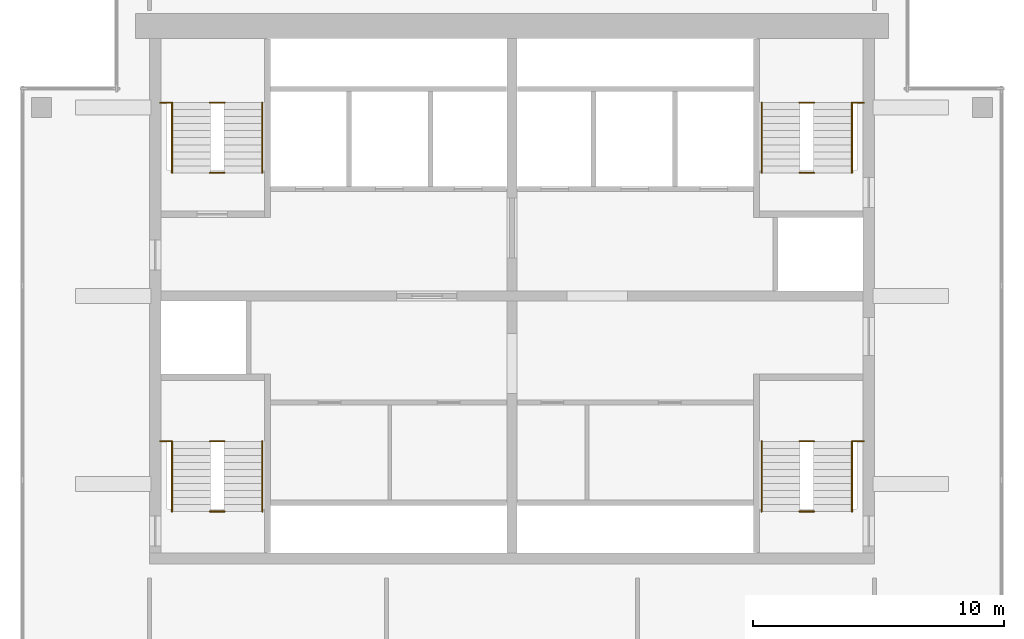
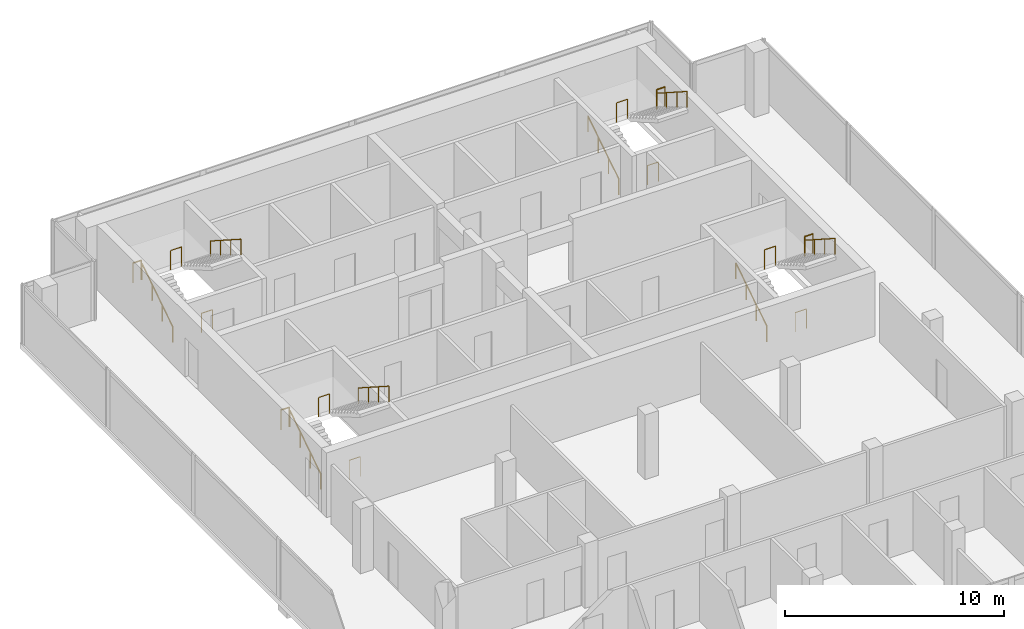
# One storey, part 8 of 8: 20 railings.
"""IFC4 building model written with IfcOpenShell, lengths in metres."""

from ifc_helpers import new_model, si_unit, direction, frame, origin, origin_2d, place, context, subcontext, project, spatial, circle, extrude, material, type_object, element, save


model = new_model("IFC4")

# Units and contexts
model_context = context("Model", 3, precision=1e-05, world=origin(), true_north=direction((0.0, 1.0)))
body_context = subcontext(model_context, "Body", "Model", "MODEL_VIEW")
ifc_project = project(units=[si_unit("LENGTHUNIT", "METRE"), si_unit("AREAUNIT", "SQUARE_METRE"), si_unit("VOLUMEUNIT", "CUBIC_METRE"), si_unit("PLANEANGLEUNIT", "RADIAN"), si_unit("MASSUNIT", "GRAM", prefix="KILO")], contexts=[model_context])

# Site, building, storey
site_placement = place(None, origin())
site = spatial("IfcSite", under=ifc_project, at=site_placement, CompositionType="ELEMENT")
building_placement = place(site_placement, origin())
building = spatial("IfcBuilding", under=site, at=building_placement, Name="Pilkhan Gate Tower", CompositionType="ELEMENT")
storey_placement = place(building_placement, frame((0.0, 0.0, 269.300048828125)))
storey = spatial("IfcBuildingStorey", under=building, at=storey_placement, Name="L70", CompositionType="ELEMENT", Elevation=269.300048828125)

# Railings
ifc_material_1 = material(Name="Black powder-coated steel tube", Category="steel")
railing_type_1 = type_object("IfcRailingType", Name="Stair handrail HR1", PredefinedType="HANDRAIL", material=ifc_material_1)
railing_1_placement = place(storey_placement, frame((84.949951171875, 73.89990234375, 0.0)))
element("IfcRailing", 1, at=railing_1_placement, inside=storey, type_object=railing_type_1, Name="Stair ST1 handrail L70", PredefinedType="HANDRAIL", context=body_context, shape_type="SweptSolid", body=[
    extrude(circle(Radius=0.02392578125, at=origin_2d()), frame((0.0, 0.0, 0.8759765625), z_axis=(0.0, 0.841176092368, 0.540761298198), x_axis=(-1.0, 0.0, 0.0)), (0.0, 0.0, 1.0), 3.32861328125),
    extrude(circle(Radius=0.02099609375, at=origin_2d()), origin(), (0.0, 0.0, 1.0), 0.851806640625),
    extrude(circle(Radius=0.02099609375, at=origin_2d()), frame((0.0, 0.933349609375, 0.60009765625)), (0.0, 0.0, 1.0), 0.851806640625),
    extrude(circle(Radius=0.02099609375, at=origin_2d()), frame((0.0, 1.86669921875, 1.199951171875)), (0.0, 0.0, 1.0), 0.851806640625),
    extrude(circle(Radius=0.02099609375, at=origin_2d()), frame((0.0, 2.800048828125, 1.800048828125)), (0.0, 0.0, 1.0), 0.851806640625),
])
railing_2_placement = place(storey_placement, frame((88.550048828125, 76.699951171875, 1.800048828125)))
element("IfcRailing", 2, at=railing_2_placement, inside=storey, type_object=railing_type_1, Name="Stair ST1 handrail L70", PredefinedType="HANDRAIL", context=body_context, shape_type="SweptSolid", body=[
    extrude(circle(Radius=0.02392578125, at=origin_2d()), frame((0.0, 0.0, 0.8759765625), z_axis=(0.0, -0.841209454229, 0.540709398952), x_axis=(1.0, 0.0, 0.0)), (0.0, 0.0, 1.0), 3.32861328125),
    extrude(circle(Radius=0.02099609375, at=origin_2d()), origin(), (0.0, 0.0, 1.0), 0.851806640625),
    extrude(circle(Radius=0.02099609375, at=origin_2d()), frame((0.0, -0.933349609375, 0.599853515625)), (0.0, 0.0, 1.0), 0.851806640625),
    extrude(circle(Radius=0.02099609375, at=origin_2d()), frame((0.0, -1.86669921875, 1.199951171875)), (0.0, 0.0, 1.0), 0.851806640625),
    extrude(circle(Radius=0.02099609375, at=origin_2d()), frame((0.0, -2.800048828125, 1.7998046875)), (0.0, 0.0, 1.0), 0.851806640625),
])
railing_3_placement = place(storey_placement, frame((61.449951171875, 73.89990234375, 0.0)))
element("IfcRailing", 3, at=railing_3_placement, inside=storey, type_object=railing_type_1, Name="Stair ST2 handrail L70", PredefinedType="HANDRAIL", context=body_context, shape_type="SweptSolid", body=[
    extrude(circle(Radius=0.02392578125, at=origin_2d()), frame((0.0, 0.0, 0.8759765625), z_axis=(0.0, 0.841176092368, 0.540761298198), x_axis=(-1.0, 0.0, 0.0)), (0.0, 0.0, 1.0), 3.32861328125),
    extrude(circle(Radius=0.02099609375, at=origin_2d()), origin(), (0.0, 0.0, 1.0), 0.851806640625),
    extrude(circle(Radius=0.02099609375, at=origin_2d()), frame((0.0, 0.933349609375, 0.60009765625)), (0.0, 0.0, 1.0), 0.851806640625),
    extrude(circle(Radius=0.02099609375, at=origin_2d()), frame((0.0, 1.86669921875, 1.199951171875)), (0.0, 0.0, 1.0), 0.851806640625),
    extrude(circle(Radius=0.02099609375, at=origin_2d()), frame((0.0, 2.800048828125, 1.800048828125)), (0.0, 0.0, 1.0), 0.851806640625),
])
railing_4_placement = place(storey_placement, frame((65.050048828125, 76.699951171875, 1.800048828125)))
element("IfcRailing", 4, at=railing_4_placement, inside=storey, type_object=railing_type_1, Name="Stair ST2 handrail L70", PredefinedType="HANDRAIL", context=body_context, shape_type="SweptSolid", body=[
    extrude(circle(Radius=0.02392578125, at=origin_2d()), frame((0.0, 0.0, 0.8759765625), z_axis=(0.0, -0.841209454229, 0.540709398952), x_axis=(1.0, 0.0, 0.0)), (0.0, 0.0, 1.0), 3.32861328125),
    extrude(circle(Radius=0.02099609375, at=origin_2d()), origin(), (0.0, 0.0, 1.0), 0.851806640625),
    extrude(circle(Radius=0.02099609375, at=origin_2d()), frame((0.0, -0.933349609375, 0.599853515625)), (0.0, 0.0, 1.0), 0.851806640625),
    extrude(circle(Radius=0.02099609375, at=origin_2d()), frame((0.0, -1.86669921875, 1.199951171875)), (0.0, 0.0, 1.0), 0.851806640625),
    extrude(circle(Radius=0.02099609375, at=origin_2d()), frame((0.0, -2.800048828125, 1.7998046875)), (0.0, 0.0, 1.0), 0.851806640625),
])
railing_5_placement = place(storey_placement, frame((61.449951171875, 87.39990234375, 0.0)))
element("IfcRailing", 5, at=railing_5_placement, inside=storey, type_object=railing_type_1, Name="Stair ST3 handrail L70", PredefinedType="HANDRAIL", context=body_context, shape_type="SweptSolid", body=[
    extrude(circle(Radius=0.02392578125, at=origin_2d()), frame((0.0, 0.0, 0.8759765625), z_axis=(0.0, 0.841176092368, 0.540761298198), x_axis=(-1.0, 0.0, 0.0)), (0.0, 0.0, 1.0), 3.32861328125),
    extrude(circle(Radius=0.02099609375, at=origin_2d()), origin(), (0.0, 0.0, 1.0), 0.851806640625),
    extrude(circle(Radius=0.02099609375, at=origin_2d()), frame((0.0, 0.933349609375, 0.60009765625)), (0.0, 0.0, 1.0), 0.851806640625),
    extrude(circle(Radius=0.02099609375, at=origin_2d()), frame((0.0, 1.86669921875, 1.199951171875)), (0.0, 0.0, 1.0), 0.851806640625),
    extrude(circle(Radius=0.02099609375, at=origin_2d()), frame((0.0, 2.800048828125, 1.800048828125)), (0.0, 0.0, 1.0), 0.851806640625),
])
railing_6_placement = place(storey_placement, frame((65.050048828125, 90.199951171875, 1.800048828125)))
element("IfcRailing", 6, at=railing_6_placement, inside=storey, type_object=railing_type_1, Name="Stair ST3 handrail L70", PredefinedType="HANDRAIL", context=body_context, shape_type="SweptSolid", body=[
    extrude(circle(Radius=0.02392578125, at=origin_2d()), frame((0.0, 0.0, 0.8759765625), z_axis=(0.0, -0.841209454229, 0.540709398952), x_axis=(1.0, 0.0, 0.0)), (0.0, 0.0, 1.0), 3.32861328125),
    extrude(circle(Radius=0.02099609375, at=origin_2d()), origin(), (0.0, 0.0, 1.0), 0.851806640625),
    extrude(circle(Radius=0.02099609375, at=origin_2d()), frame((0.0, -0.933349609375, 0.599853515625)), (0.0, 0.0, 1.0), 0.851806640625),
    extrude(circle(Radius=0.02099609375, at=origin_2d()), frame((0.0, -1.86669921875, 1.199951171875)), (0.0, 0.0, 1.0), 0.851806640625),
    extrude(circle(Radius=0.02099609375, at=origin_2d()), frame((0.0, -2.800048828125, 1.7998046875)), (0.0, 0.0, 1.0), 0.851806640625),
])
railing_7_placement = place(storey_placement, frame((84.949951171875, 87.39990234375, 0.0)))
element("IfcRailing", 7, at=railing_7_placement, inside=storey, type_object=railing_type_1, Name="Stair ST4 handrail L70", PredefinedType="HANDRAIL", context=body_context, shape_type="SweptSolid", body=[
    extrude(circle(Radius=0.02392578125, at=origin_2d()), frame((0.0, 0.0, 0.8759765625), z_axis=(0.0, 0.841176092368, 0.540761298198), x_axis=(-1.0, 0.0, 0.0)), (0.0, 0.0, 1.0), 3.32861328125),
    extrude(circle(Radius=0.02099609375, at=origin_2d()), origin(), (0.0, 0.0, 1.0), 0.851806640625),
    extrude(circle(Radius=0.02099609375, at=origin_2d()), frame((0.0, 0.933349609375, 0.60009765625)), (0.0, 0.0, 1.0), 0.851806640625),
    extrude(circle(Radius=0.02099609375, at=origin_2d()), frame((0.0, 1.86669921875, 1.199951171875)), (0.0, 0.0, 1.0), 0.851806640625),
    extrude(circle(Radius=0.02099609375, at=origin_2d()), frame((0.0, 2.800048828125, 1.800048828125)), (0.0, 0.0, 1.0), 0.851806640625),
])
railing_8_placement = place(storey_placement, frame((88.550048828125, 90.199951171875, 1.800048828125)))
element("IfcRailing", 8, at=railing_8_placement, inside=storey, type_object=railing_type_1, Name="Stair ST4 handrail L70", PredefinedType="HANDRAIL", context=body_context, shape_type="SweptSolid", body=[
    extrude(circle(Radius=0.02392578125, at=origin_2d()), frame((0.0, 0.0, 0.8759765625), z_axis=(0.0, -0.841209454229, 0.540709398952), x_axis=(1.0, 0.0, 0.0)), (0.0, 0.0, 1.0), 3.32861328125),
    extrude(circle(Radius=0.02099609375, at=origin_2d()), origin(), (0.0, 0.0, 1.0), 0.851806640625),
    extrude(circle(Radius=0.02099609375, at=origin_2d()), frame((0.0, -0.933349609375, 0.599853515625)), (0.0, 0.0, 1.0), 0.851806640625),
    extrude(circle(Radius=0.02099609375, at=origin_2d()), frame((0.0, -1.86669921875, 1.199951171875)), (0.0, 0.0, 1.0), 0.851806640625),
    extrude(circle(Radius=0.02099609375, at=origin_2d()), frame((0.0, -2.800048828125, 1.7998046875)), (0.0, 0.0, 1.0), 0.851806640625),
])
ifc_material_2 = material(Name="Black powder-coated steel balusters", Category="steel")
railing_type_2 = type_object("IfcRailingType", Name="Stair well guard G3", PredefinedType="GUARDRAIL", material=ifc_material_2)
railing_9_placement = place(storey_placement, frame((88.580078125, 76.699951171875, 1.800048828125)))
element("IfcRailing", 9, at=railing_9_placement, inside=storey, type_object=railing_type_2, Name="Stair ST1 well guard L70", PredefinedType="GUARDRAIL", context=body_context, shape_type="SweptSolid", body=[
    extrude(circle(Radius=0.02392578125, at=origin_2d()), frame((0.0, 0.0, 1.076171875), z_axis=(1.0, 0.0, 0.0), x_axis=(0.0, 1.0, 0.0)), (0.0, 0.0, 1.0), 0.43994140625),
    extrude(circle(Radius=0.02099609375, at=origin_2d()), origin(), (0.0, 0.0, 1.0), 1.052001953125),
    extrude(circle(Radius=0.02099609375, at=origin_2d()), frame((0.43994140625, 0.0, 0.0)), (0.0, 0.0, 1.0), 1.052001953125),
])
for number, where, name in (
    (10, (86.4599609375, 73.89990234375, 0.0), "Stair ST1 well guard L70"),
    (11, (86.4599609375, 76.699951171875, 1.800048828125), "Stair ST1 well guard L70"),
):
    element("IfcRailing", number, at=place(storey_placement, frame(where)), inside=storey, type_object=railing_type_2, Name=name, PredefinedType="GUARDRAIL", context=body_context, shape_type="SweptSolid", body=[
        extrude(circle(Radius=0.02392578125, at=origin_2d()), frame((0.0, 0.0, 1.076171875), z_axis=(1.0, 0.0, 0.0), x_axis=(0.0, 1.0, 0.0)), (0.0, 0.0, 1.0), 0.580078125),
        extrude(circle(Radius=0.02099609375, at=origin_2d()), origin(), (0.0, 0.0, 1.0), 1.052001953125),
        extrude(circle(Radius=0.02099609375, at=origin_2d()), frame((0.580078125, 0.0, 0.0)), (0.0, 0.0, 1.0), 1.052001953125),
    ])
railing_10_placement = place(storey_placement, frame((60.97998046875, 76.699951171875, 1.800048828125)))
element("IfcRailing", 12, at=railing_10_placement, inside=storey, type_object=railing_type_2, Name="Stair ST2 well guard L70", PredefinedType="GUARDRAIL", context=body_context, shape_type="SweptSolid", body=[
    extrude(circle(Radius=0.02392578125, at=origin_2d()), frame((0.0, 0.0, 1.076171875), z_axis=(1.0, 0.0, 0.0), x_axis=(0.0, 1.0, 0.0)), (0.0, 0.0, 1.0), 0.43994140625),
    extrude(circle(Radius=0.02099609375, at=origin_2d()), origin(), (0.0, 0.0, 1.0), 1.052001953125),
    extrude(circle(Radius=0.02099609375, at=origin_2d()), frame((0.43994140625, 0.0, 0.0)), (0.0, 0.0, 1.0), 1.052001953125),
])
for number, where, name in (
    (13, (62.9599609375, 73.89990234375, 0.0), "Stair ST2 well guard L70"),
    (14, (62.9599609375, 76.699951171875, 1.800048828125), "Stair ST2 well guard L70"),
):
    element("IfcRailing", number, at=place(storey_placement, frame(where)), inside=storey, type_object=railing_type_2, Name=name, PredefinedType="GUARDRAIL", context=body_context, shape_type="SweptSolid", body=[
        extrude(circle(Radius=0.02392578125, at=origin_2d()), frame((0.0, 0.0, 1.076171875), z_axis=(1.0, 0.0, 0.0), x_axis=(0.0, 1.0, 0.0)), (0.0, 0.0, 1.0), 0.580078125),
        extrude(circle(Radius=0.02099609375, at=origin_2d()), origin(), (0.0, 0.0, 1.0), 1.052001953125),
        extrude(circle(Radius=0.02099609375, at=origin_2d()), frame((0.580078125, 0.0, 0.0)), (0.0, 0.0, 1.0), 1.052001953125),
    ])
railing_11_placement = place(storey_placement, frame((60.97998046875, 90.199951171875, 1.800048828125)))
element("IfcRailing", 15, at=railing_11_placement, inside=storey, type_object=railing_type_2, Name="Stair ST3 well guard L70", PredefinedType="GUARDRAIL", context=body_context, shape_type="SweptSolid", body=[
    extrude(circle(Radius=0.02392578125, at=origin_2d()), frame((0.0, 0.0, 1.076171875), z_axis=(1.0, 0.0, 0.0), x_axis=(0.0, 1.0, 0.0)), (0.0, 0.0, 1.0), 0.43994140625),
    extrude(circle(Radius=0.02099609375, at=origin_2d()), origin(), (0.0, 0.0, 1.0), 1.052001953125),
    extrude(circle(Radius=0.02099609375, at=origin_2d()), frame((0.43994140625, 0.0, 0.0)), (0.0, 0.0, 1.0), 1.052001953125),
])
for number, where, name in (
    (16, (62.9599609375, 87.39990234375, 0.0), "Stair ST3 well guard L70"),
    (17, (62.9599609375, 90.199951171875, 1.800048828125), "Stair ST3 well guard L70"),
):
    element("IfcRailing", number, at=place(storey_placement, frame(where)), inside=storey, type_object=railing_type_2, Name=name, PredefinedType="GUARDRAIL", context=body_context, shape_type="SweptSolid", body=[
        extrude(circle(Radius=0.02392578125, at=origin_2d()), frame((0.0, 0.0, 1.076171875), z_axis=(1.0, 0.0, 0.0), x_axis=(0.0, 1.0, 0.0)), (0.0, 0.0, 1.0), 0.580078125),
        extrude(circle(Radius=0.02099609375, at=origin_2d()), origin(), (0.0, 0.0, 1.0), 1.052001953125),
        extrude(circle(Radius=0.02099609375, at=origin_2d()), frame((0.580078125, 0.0, 0.0)), (0.0, 0.0, 1.0), 1.052001953125),
    ])
railing_12_placement = place(storey_placement, frame((88.580078125, 90.199951171875, 1.800048828125)))
element("IfcRailing", 18, at=railing_12_placement, inside=storey, type_object=railing_type_2, Name="Stair ST4 well guard L70", PredefinedType="GUARDRAIL", context=body_context, shape_type="SweptSolid", body=[
    extrude(circle(Radius=0.02392578125, at=origin_2d()), frame((0.0, 0.0, 1.076171875), z_axis=(1.0, 0.0, 0.0), x_axis=(0.0, 1.0, 0.0)), (0.0, 0.0, 1.0), 0.43994140625),
    extrude(circle(Radius=0.02099609375, at=origin_2d()), origin(), (0.0, 0.0, 1.0), 1.052001953125),
    extrude(circle(Radius=0.02099609375, at=origin_2d()), frame((0.43994140625, 0.0, 0.0)), (0.0, 0.0, 1.0), 1.052001953125),
])
for number, where, name in (
    (19, (86.4599609375, 87.39990234375, 0.0), "Stair ST4 well guard L70"),
    (20, (86.4599609375, 90.199951171875, 1.800048828125), "Stair ST4 well guard L70"),
):
    element("IfcRailing", number, at=place(storey_placement, frame(where)), inside=storey, type_object=railing_type_2, Name=name, PredefinedType="GUARDRAIL", context=body_context, shape_type="SweptSolid", body=[
        extrude(circle(Radius=0.02392578125, at=origin_2d()), frame((0.0, 0.0, 1.076171875), z_axis=(1.0, 0.0, 0.0), x_axis=(0.0, 1.0, 0.0)), (0.0, 0.0, 1.0), 0.580078125),
        extrude(circle(Radius=0.02099609375, at=origin_2d()), origin(), (0.0, 0.0, 1.0), 1.052001953125),
        extrude(circle(Radius=0.02099609375, at=origin_2d()), frame((0.580078125, 0.0, 0.0)), (0.0, 0.0, 1.0), 1.052001953125),
    ])

save(model, "model.ifc")
